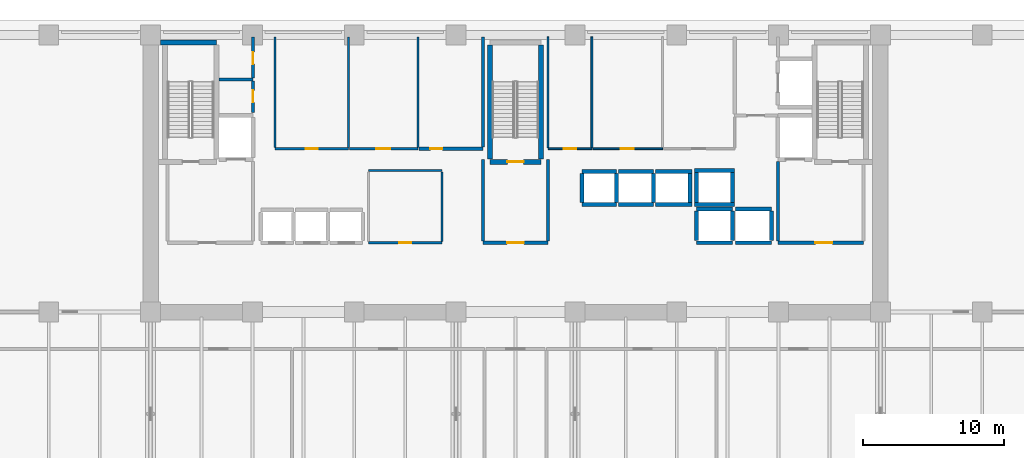
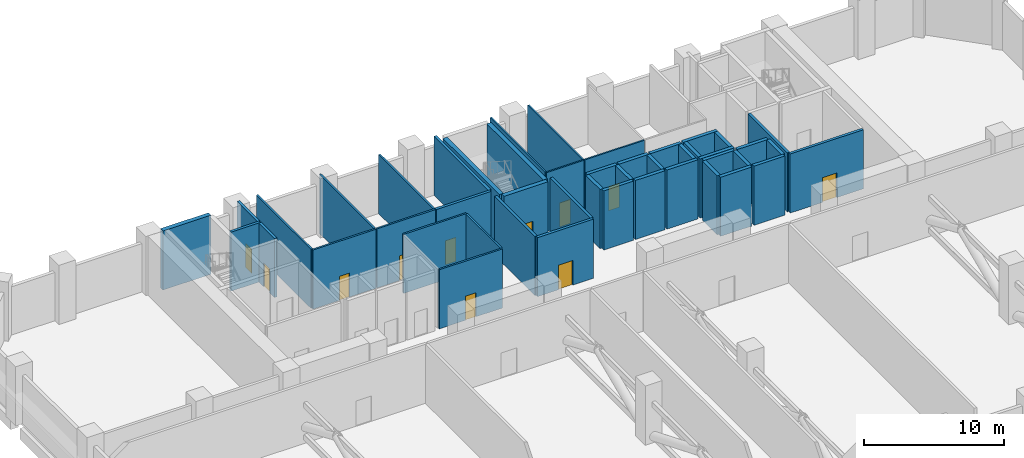
# One storey, part 9 of 15: 47 walls, 11 doors, 11 openings.
"""IFC4 building model written with IfcOpenShell, lengths in metres."""

from ifc_helpers import new_model, si_unit, direction, frame, frame_2d, origin, place, context, subcontext, project, spatial, rectangle, extrude, material, layer, layer_set, type_object, element, fill, save


model = new_model("IFC4")

# Units and contexts
model_context = context("Model", 3, precision=1e-05, world=origin(), true_north=direction((0.0, 1.0)))
body_context = subcontext(model_context, "Body", "Model", "MODEL_VIEW")
ifc_project = project(units=[si_unit("LENGTHUNIT", "METRE"), si_unit("AREAUNIT", "SQUARE_METRE"), si_unit("VOLUMEUNIT", "CUBIC_METRE"), si_unit("PLANEANGLEUNIT", "RADIAN"), si_unit("MASSUNIT", "GRAM", prefix="KILO")], contexts=[model_context])

# Site, building, storey
site_placement = place(None, origin())
site = spatial("IfcSite", under=ifc_project, at=site_placement, CompositionType="ELEMENT")
building_placement = place(site_placement, origin())
building = spatial("IfcBuilding", under=site, at=building_placement, Name="Kaelvorn Grand Hotel", CompositionType="ELEMENT")
storey_placement = place(building_placement, frame((0.0, 0.0, 80.14990234375)))
storey = spatial("IfcBuildingStorey", under=building, at=storey_placement, Name="L18", CompositionType="ELEMENT", Elevation=80.14990234375)

# Wall, opening, door
ifc_material_1 = material(Name="Moisture-Resistant Tile & Stud Board")
ifc_layer_1 = layer(ifc_material_1, 0.125)
ifc_layer_set_1 = layer_set([ifc_layer_1], Name="Moisture-Resistant Tile & Stud Board")
wall_type_1 = type_object("IfcWallType", Name="WL-PART-125-WET", PredefinedType="PARTITIONING", material=ifc_layer_set_1)
wall_1_placement = place(storey_placement, frame((44.300048828125, 40.949951171875, 0.0), z_axis=(0.0, 0.0, 1.0), x_axis=(1.0, 0.0, 0.0)))
wall_1 = element("IfcWall", 1, at=wall_1_placement, inside=storey, type_object=wall_type_1, Name="L18 Accessible WC S Partition", PredefinedType="PARTITIONING", context=body_context, shape_type="SweptSolid", body=[
    extrude(rectangle(XDim=3.099853515625, YDim=0.125, at=frame_2d((1.5498046875, 0.0))), origin(), (0.0, 0.0, 1.0), 5.16015625),
])
opening_1_placement = place(wall_1_placement, frame((1.10009765625, 0.0, 0.0)))
opening_1 = element("IfcOpeningElement", 2, at=opening_1_placement, cuts=wall_1, Name="Opening DI4", PredefinedType="OPENING", context=body_context, shape_type="SweptSolid", body=[
    extrude(rectangle(XDim=0.89990234375, YDim=2.10009765625, at=frame_2d((0.449951171875, 1.050048828125))), frame((0.0, 0.072509765625, 0.0), z_axis=(0.0, -1.0, 0.0), x_axis=(1.0, 0.0, 0.0)), (0.0, 0.0, 1.0), 0.14501953125),
])
ifc_material_2 = material(Name="Timber Veneer Leaf", Category="wood")
door_type_1 = type_object("IfcDoorType", Name="DR-INT-BATH-900x2100", OperationType="NOTDEFINED", PredefinedType="DOOR", material=ifc_material_2)
door_1_placement = place(opening_1_placement, origin())
door_1 = element("IfcDoor", 3, at=door_1_placement, inside=storey, type_object=door_type_1, Name="L18 Accessible WC Door", OperationType="SINGLE_SWING_RIGHT", OverallHeight=2.10009765625, OverallWidth=0.89990234375, PredefinedType="DOOR", context=body_context, shape_type="SweptSolid", body=[
    extrude(rectangle(XDim=0.89990234375, YDim=2.10009765625, at=frame_2d((0.449951171875, 1.050048828125))), frame((0.0, 0.02490234375, 0.0), z_axis=(0.0, -1.0, 0.0), x_axis=(1.0, 0.0, 0.0)), (0.0, 0.0, 1.0), 0.050048828125),
])
fill(opening_1, door_1)

# Walls
for number, where, z_axis, x_axis, name in (
    (4, (44.300048828125, 41.017578125, 0.0), (0.0, 0.0, 1.0), (0.0, 1.0, 0.0), "L18 Accessible WC W Partition"),
    (5, (47.39990234375, 41.017578125, 0.0), (0.0, 0.0, 1.0), (0.0, 1.0, 0.0), "L18 Accessible WC E Partition"),
):
    element("IfcWall", number, at=place(storey_placement, frame(where, z_axis=z_axis, x_axis=x_axis)), inside=storey, type_object=wall_type_1, Name=name, PredefinedType="PARTITIONING", context=body_context, shape_type="SweptSolid", body=[
        extrude(rectangle(XDim=7.83251953125, YDim=0.125, at=frame_2d((3.916259765625, 0.0))), origin(), (0.0, 0.0, 1.0), 5.16015625),
    ])

# Wall, opening, door
wall_2_placement = place(storey_placement, frame((47.467529296875, 40.949951171875, 0.0), z_axis=(0.0, 0.0, 1.0), x_axis=(1.0, 0.0, 0.0)))
wall_2 = element("IfcWall", 6, at=wall_2_placement, inside=storey, type_object=wall_type_1, Name="L18 Male Staff & Guest Toilets S Partition", PredefinedType="PARTITIONING", context=body_context, shape_type="SweptSolid", body=[
    extrude(rectangle(XDim=4.932373046875, YDim=0.125, at=frame_2d((2.46630859375, 0.0))), origin(), (0.0, 0.0, 1.0), 5.16015625),
])
opening_2_placement = place(wall_2_placement, frame((1.982421875, 0.0, 0.0)))
opening_2 = element("IfcOpeningElement", 7, at=opening_2_placement, cuts=wall_2, Name="Opening DI4", PredefinedType="OPENING", context=body_context, shape_type="SweptSolid", body=[
    extrude(rectangle(XDim=0.89990234375, YDim=2.10009765625, at=frame_2d((0.449951171875, 1.050048828125))), frame((0.0, 0.072509765625, 0.0), z_axis=(0.0, -1.0, 0.0), x_axis=(1.0, 0.0, 0.0)), (0.0, 0.0, 1.0), 0.14501953125),
])
door_2_placement = place(opening_2_placement, origin())
door_2 = element("IfcDoor", 8, at=door_2_placement, inside=storey, type_object=door_type_1, Name="L18 Male Staff & Guest Toilets Door", OperationType="SINGLE_SWING_LEFT", OverallHeight=2.10009765625, OverallWidth=0.89990234375, PredefinedType="DOOR", context=body_context, shape_type="SweptSolid", body=[
    extrude(rectangle(XDim=0.89990234375, YDim=2.10009765625, at=frame_2d((0.449951171875, 1.050048828125))), frame((0.0, 0.02490234375, 0.0), z_axis=(0.0, -1.0, 0.0), x_axis=(1.0, 0.0, 0.0)), (0.0, 0.0, 1.0), 0.050048828125),
])
fill(opening_2, door_2)

ifc_material_3 = material(Name="Acoustic Gypsum & Stud Partition")
ifc_layer_2 = layer(ifc_material_3, 0.14990234375)
ifc_layer_set_2 = layer_set([ifc_layer_2], Name="Acoustic Gypsum & Stud Partition")
wall_type_2 = type_object("IfcWallType", Name="WL-PART-150-EI60", PredefinedType="PARTITIONING", material=ifc_layer_set_2)
wall_3_placement = place(storey_placement, frame((31.60009765625, 34.300048828125, 0.0), z_axis=(0.0, 0.0, 1.0), x_axis=(1.0, 0.0, 0.0)))
wall_3 = element("IfcWall", 9, at=wall_3_placement, inside=storey, type_object=wall_type_2, Name="L18 Core Telecoms & BMS Server Room S Partition", PredefinedType="PARTITIONING", context=body_context, shape_type="SweptSolid", body=[
    extrude(rectangle(XDim=5.199951171875, YDim=0.14990234375, at=frame_2d((2.60009765625, 0.0))), origin(), (0.0, 0.0, 1.0), 5.16015625),
])
opening_3_placement = place(wall_3_placement, frame((2.175048828125, 0.0, 0.0)))
opening_3 = element("IfcOpeningElement", 10, at=opening_3_placement, cuts=wall_3, Name="Opening DI7", PredefinedType="OPENING", context=body_context, shape_type="SweptSolid", body=[
    extrude(rectangle(XDim=0.85009765625, YDim=2.10009765625, at=frame_2d((0.425048828125, 1.050048828125))), frame((0.0, 0.0849609375, 0.0), z_axis=(0.0, -1.0, 0.0), x_axis=(1.0, 0.0, 0.0)), (0.0, 0.0, 1.0), 0.169921875),
])
ifc_material_4 = material(Name="Powder-Coated Steel Leaf", Category="steel")
door_type_2 = type_object("IfcDoorType", Name="DR-INT-RISER-850x2100", OperationType="NOTDEFINED", PredefinedType="DOOR", material=ifc_material_4)
door_3_placement = place(opening_3_placement, origin())
door_3 = element("IfcDoor", 11, at=door_3_placement, inside=storey, type_object=door_type_2, Name="L18 Core Telecoms & BMS Server Room Door", OperationType="SINGLE_SWING_RIGHT", OverallHeight=2.10009765625, OverallWidth=0.85009765625, PredefinedType="DOOR", context=body_context, shape_type="SweptSolid", body=[
    extrude(rectangle(XDim=0.85009765625, YDim=2.10009765625, at=frame_2d((0.425048828125, 1.050048828125))), frame((0.0, 0.02490234375, 0.0), z_axis=(0.0, -1.0, 0.0), x_axis=(1.0, 0.0, 0.0)), (0.0, 0.0, 1.0), 0.050048828125),
])
fill(opening_3, door_3)

# Walls
wall_4_placement = place(storey_placement, frame((31.60009765625, 39.39990234375, 0.0), z_axis=(0.0, 0.0, 1.0), x_axis=(1.0, 0.0, 0.0)))
element("IfcWall", 12, at=wall_4_placement, inside=storey, type_object=wall_type_2, Name="L18 Core Telecoms & BMS Server Room N Partition", PredefinedType="PARTITIONING", context=body_context, shape_type="SweptSolid", body=[
    extrude(rectangle(XDim=5.199951171875, YDim=0.14990234375, at=frame_2d((2.60009765625, 0.0))), origin(), (0.0, 0.0, 1.0), 5.16015625),
])
wall_5_placement = place(storey_placement, frame((36.800048828125, 34.3798828125, 0.0), z_axis=(0.0, 0.0, 1.0), x_axis=(0.0, 1.0, 0.0)))
element("IfcWall", 13, at=wall_5_placement, inside=storey, type_object=wall_type_2, Name="L18 Core Telecoms & BMS Server Room E Partition", PredefinedType="PARTITIONING", context=body_context, shape_type="SweptSolid", body=[
    extrude(rectangle(XDim=4.940185546875, YDim=0.14990234375, at=frame_2d((2.47021484375, 0.0))), origin(), (0.0, 0.0, 1.0), 5.16015625),
])

# Wall, opening, door
wall_6_placement = place(storey_placement, frame((25.0, 40.949951171875, 0.0), z_axis=(0.0, 0.0, 1.0), x_axis=(1.0, 0.0, 0.0)))
wall_6 = element("IfcWall", 14, at=wall_6_placement, inside=storey, type_object=wall_type_2, Name="L18 Central Janitor & Linen Store S Partition", PredefinedType="PARTITIONING", context=body_context, shape_type="SweptSolid", body=[
    extrude(rectangle(XDim=5.199951171875, YDim=0.14990234375, at=frame_2d((2.60009765625, 0.0))), origin(), (0.0, 0.0, 1.0), 5.16015625),
])
opening_4_placement = place(wall_6_placement, frame((2.175048828125, 0.0, 0.0)))
opening_4 = element("IfcOpeningElement", 15, at=opening_4_placement, cuts=wall_6, Name="Opening DI7", PredefinedType="OPENING", context=body_context, shape_type="SweptSolid", body=[
    extrude(rectangle(XDim=0.85009765625, YDim=2.10009765625, at=frame_2d((0.425048828125, 1.050048828125))), frame((0.0, 0.0849609375, 0.0), z_axis=(0.0, -1.0, 0.0), x_axis=(1.0, 0.0, 0.0)), (0.0, 0.0, 1.0), 0.169921875),
])
door_4_placement = place(opening_4_placement, origin())
door_4 = element("IfcDoor", 16, at=door_4_placement, inside=storey, type_object=door_type_2, Name="L18 Central Janitor & Linen Store Door", OperationType="SINGLE_SWING_LEFT", OverallHeight=2.10009765625, OverallWidth=0.85009765625, PredefinedType="DOOR", context=body_context, shape_type="SweptSolid", body=[
    extrude(rectangle(XDim=0.85009765625, YDim=2.10009765625, at=frame_2d((0.425048828125, 1.050048828125))), frame((0.0, 0.02490234375, 0.0), z_axis=(0.0, -1.0, 0.0), x_axis=(1.0, 0.0, 0.0)), (0.0, 0.0, 1.0), 0.050048828125),
])
fill(opening_4, door_4)

# Walls
for number, where, z_axis, x_axis, name in (
    (17, (25.0, 41.030029296875, 0.0), (0.0, 0.0, 1.0), (0.0, 1.0, 0.0), "L18 Central Janitor & Linen Store W Partition"),
    (18, (30.199951171875, 41.030029296875, 0.0), (0.0, 0.0, 1.0), (0.0, 1.0, 0.0), "L18 Central Janitor & Linen Store E Partition"),
):
    element("IfcWall", number, at=place(storey_placement, frame(where, z_axis=z_axis, x_axis=x_axis)), inside=storey, type_object=wall_type_2, Name=name, PredefinedType="PARTITIONING", context=body_context, shape_type="SweptSolid", body=[
        extrude(rectangle(XDim=7.820068359375, YDim=0.14990234375, at=frame_2d((3.91015625, 0.0))), origin(), (0.0, 0.0, 1.0), 5.16015625),
    ])

# Wall, opening, door
wall_7_placement = place(storey_placement, frame((30.280029296875, 40.949951171875, 0.0), z_axis=(0.0, 0.0, 1.0), x_axis=(1.0, 0.0, 0.0)))
wall_7 = element("IfcWall", 19, at=wall_7_placement, inside=storey, type_object=wall_type_2, Name="L18 Room Service Servery Pantry S Partition", PredefinedType="PARTITIONING", context=body_context, shape_type="SweptSolid", body=[
    extrude(rectangle(XDim=4.820068359375, YDim=0.14990234375, at=frame_2d((2.41015625, 0.0))), origin(), (0.0, 0.0, 1.0), 5.16015625),
])
opening_5_placement = place(wall_7_placement, frame((1.8701171875, 0.0, 0.0)))
opening_5 = element("IfcOpeningElement", 20, at=opening_5_placement, cuts=wall_7, Name="Opening DI3", PredefinedType="OPENING", context=body_context, shape_type="SweptSolid", body=[
    extrude(rectangle(XDim=1.0, YDim=2.14990234375, at=frame_2d((0.5, 1.074951171875))), frame((0.0, 0.0849609375, 0.0), z_axis=(0.0, -1.0, 0.0), x_axis=(1.0, 0.0, 0.0)), (0.0, 0.0, 1.0), 0.169921875),
])
ifc_material_5 = material(Name="Timber Veneer Fire Leaf", Category="wood")
door_type_3 = type_object("IfcDoorType", Name="DR-INT-GUEST-1000x2150", OperationType="NOTDEFINED", PredefinedType="DOOR", material=ifc_material_5)
door_5_placement = place(opening_5_placement, origin())
door_5 = element("IfcDoor", 21, at=door_5_placement, inside=storey, type_object=door_type_3, Name="L18 Room Service Servery Pantry Door", OperationType="SINGLE_SWING_RIGHT", OverallHeight=2.14990234375, OverallWidth=1.0, PredefinedType="DOOR", context=body_context, shape_type="SweptSolid", body=[
    extrude(rectangle(XDim=1.0, YDim=2.14990234375, at=frame_2d((0.5, 1.074951171875))), frame((0.0, 0.02490234375, 0.0), z_axis=(0.0, -1.0, 0.0), x_axis=(1.0, 0.0, 0.0)), (0.0, 0.0, 1.0), 0.050048828125),
])
fill(opening_5, door_5)

# Wall
wall_8_placement = place(storey_placement, frame((35.10009765625, 41.030029296875, 0.0), z_axis=(0.0, 0.0, 1.0), x_axis=(0.0, 1.0, 0.0)))
element("IfcWall", 22, at=wall_8_placement, inside=storey, type_object=wall_type_2, Name="L18 Room Service Servery Pantry E Partition", PredefinedType="PARTITIONING", context=body_context, shape_type="SweptSolid", body=[
    extrude(rectangle(XDim=7.820068359375, YDim=0.14990234375, at=frame_2d((3.91015625, 0.0))), origin(), (0.0, 0.0, 1.0), 5.16015625),
])

# Wall, opening, door
ifc_material_6 = material(Name="Concrete C40/50", Category="concrete")
ifc_layer_3 = layer(ifc_material_6, 0.219970703125)
ifc_layer_set_3 = layer_set([ifc_layer_3], Name="Concrete C40/50")
wall_type_3 = type_object("IfcWallType", Name="WL-PART-220-EI120", PredefinedType="PARTITIONING", material=ifc_layer_set_3)
wall_9_placement = place(storey_placement, frame((60.550048828125, 34.300048828125, 0.0), z_axis=(0.0, 0.0, 1.0), x_axis=(1.0, 0.0, 0.0)))
wall_9 = element("IfcWall", 23, at=wall_9_placement, inside=storey, type_object=wall_type_3, Name="L18 Firefighting Lift Lobby 2 S Partition", PredefinedType="PARTITIONING", context=body_context, shape_type="SweptSolid", body=[
    extrude(rectangle(XDim=6.050048828125, YDim=0.219970703125, at=frame_2d((3.02490234375, 0.0))), origin(), (0.0, 0.0, 1.0), 5.16015625),
])
opening_6_placement = place(wall_9_placement, frame((2.64990234375, 0.0, 0.0)))
opening_6 = element("IfcOpeningElement", 24, at=opening_6_placement, cuts=wall_9, Name="Opening DI2", PredefinedType="OPENING", context=body_context, shape_type="SweptSolid", body=[
    extrude(rectangle(XDim=1.199951171875, YDim=2.14990234375, at=frame_2d((0.60009765625, 1.074951171875))), frame((0.0, 0.1201171875, 0.0), z_axis=(0.0, -1.0, 0.0), x_axis=(1.0, 0.0, 0.0)), (0.0, 0.0, 1.0), 0.239990234375),
])
door_type_4 = type_object("IfcDoorType", Name="DR-INT-FFLOB-1200x2150", OperationType="NOTDEFINED", PredefinedType="DOOR", material=ifc_material_5)
door_6_placement = place(opening_6_placement, origin())
door_6 = element("IfcDoor", 25, at=door_6_placement, inside=storey, type_object=door_type_4, Name="L18 Firefighting Lift Lobby 2 Door", OperationType="SINGLE_SWING_LEFT", OverallHeight=2.14990234375, OverallWidth=1.199951171875, PredefinedType="DOOR", context=body_context, shape_type="SweptSolid", body=[
    extrude(rectangle(XDim=1.199951171875, YDim=2.14990234375, at=frame_2d((0.60009765625, 1.074951171875))), frame((0.0, 0.02490234375, 0.0), z_axis=(0.0, -1.0, 0.0), x_axis=(1.0, 0.0, 0.0)), (0.0, 0.0, 1.0), 0.050048828125),
])
fill(opening_6, door_6)

# Wall
wall_10_placement = place(storey_placement, frame((60.550048828125, 34.4150390625, 0.0), z_axis=(0.0, 0.0, 1.0), x_axis=(0.0, 1.0, 0.0)))
element("IfcWall", 26, at=wall_10_placement, inside=storey, type_object=wall_type_3, Name="L18 Firefighting Lift Lobby 2 W Partition", PredefinedType="PARTITIONING", context=body_context, shape_type="SweptSolid", body=[
    extrude(rectangle(XDim=5.639892578125, YDim=0.219970703125, at=frame_2d((2.81982421875, 0.0))), origin(), (0.0, 0.0, 1.0), 5.16015625),
])

# Wall, opening, door
wall_11_placement = place(storey_placement, frame((39.699951171875, 34.300048828125, 0.0), z_axis=(0.0, 0.0, 1.0), x_axis=(1.0, 0.0, 0.0)))
wall_11 = element("IfcWall", 27, at=wall_11_placement, inside=storey, type_object=wall_type_3, Name="L18 Central Stair Escape Vestibule S Partition", PredefinedType="PARTITIONING", context=body_context, shape_type="SweptSolid", body=[
    extrude(rectangle(XDim=4.60009765625, YDim=0.219970703125, at=frame_2d((2.300048828125, 0.0))), origin(), (0.0, 0.0, 1.0), 5.16015625),
])
opening_7_placement = place(wall_11_placement, frame((1.699951171875, 0.0, 0.0)))
opening_7 = element("IfcOpeningElement", 28, at=opening_7_placement, cuts=wall_11, Name="Opening DI2", PredefinedType="OPENING", context=body_context, shape_type="SweptSolid", body=[
    extrude(rectangle(XDim=1.199951171875, YDim=2.14990234375, at=frame_2d((0.60009765625, 1.074951171875))), frame((0.0, 0.1201171875, 0.0), z_axis=(0.0, -1.0, 0.0), x_axis=(1.0, 0.0, 0.0)), (0.0, 0.0, 1.0), 0.239990234375),
])
door_7_placement = place(opening_7_placement, origin())
door_7 = element("IfcDoor", 29, at=door_7_placement, inside=storey, type_object=door_type_4, Name="L18 Central Stair Escape Vestibule Door", OperationType="SINGLE_SWING_RIGHT", OverallHeight=2.14990234375, OverallWidth=1.199951171875, PredefinedType="DOOR", context=body_context, shape_type="SweptSolid", body=[
    extrude(rectangle(XDim=1.199951171875, YDim=2.14990234375, at=frame_2d((0.60009765625, 1.074951171875))), frame((0.0, 0.02490234375, 0.0), z_axis=(0.0, -1.0, 0.0), x_axis=(1.0, 0.0, 0.0)), (0.0, 0.0, 1.0), 0.050048828125),
])
fill(opening_7, door_7)

# Walls
for number, where, z_axis, x_axis, name in (
    (30, (39.699951171875, 34.4150390625, 0.0), (0.0, 0.0, 1.0), (0.0, 1.0, 0.0), "L18 Central Stair Escape Vestibule W Partition"),
    (31, (44.300048828125, 34.4150390625, 0.0), (0.0, 0.0, 1.0), (0.0, 1.0, 0.0), "L18 Central Stair Escape Vestibule E Partition"),
):
    element("IfcWall", number, at=place(storey_placement, frame(where, z_axis=z_axis, x_axis=x_axis)), inside=storey, type_object=wall_type_3, Name=name, PredefinedType="PARTITIONING", context=body_context, shape_type="SweptSolid", body=[
        extrude(rectangle(XDim=5.784912109375, YDim=0.219970703125, at=frame_2d((2.892578125, 0.0))), origin(), (0.0, 0.0, 1.0), 5.16015625),
    ])
wall_12_placement = place(storey_placement, frame((21.034912109375, 45.85009765625, 0.0), z_axis=(0.0, 0.0, 1.0), x_axis=(1.0, 0.0, 0.0)))
element("IfcWall", 32, at=wall_12_placement, inside=storey, type_object=wall_type_3, Name="L18 Wet Fire & Plumbing Riser Shaft N Partition", PredefinedType="PARTITIONING", context=body_context, shape_type="SweptSolid", body=[
    extrude(rectangle(XDim=2.4150390625, YDim=0.219970703125, at=frame_2d((1.20751953125, 0.0))), origin(), (0.0, 0.0, 1.0), 5.16015625),
])

# Wall, opening, door
wall_13_placement = place(storey_placement, frame((23.449951171875, 43.5, 0.0), z_axis=(0.0, 0.0, 1.0), x_axis=(0.0, 1.0, 0.0)))
wall_13 = element("IfcWall", 33, at=wall_13_placement, inside=storey, type_object=wall_type_3, Name="L18 Wet Fire & Plumbing Riser Shaft E Partition", PredefinedType="PARTITIONING", context=body_context, shape_type="SweptSolid", body=[
    extrude(rectangle(XDim=2.235107421875, YDim=0.219970703125, at=frame_2d((1.11767578125, 0.0))), origin(), (0.0, 0.0, 1.0), 5.16015625),
])
opening_8_placement = place(wall_13_placement, frame((0.72509765625, 0.0, 0.0)))
opening_8 = element("IfcOpeningElement", 34, at=opening_8_placement, cuts=wall_13, Name="Opening DI7", PredefinedType="OPENING", context=body_context, shape_type="SweptSolid", body=[
    extrude(rectangle(XDim=0.85009765625, YDim=2.10009765625, at=frame_2d((0.425048828125, 1.050048828125))), frame((0.0, 0.1201171875, 0.0), z_axis=(0.0, -1.0, 0.0), x_axis=(1.0, 0.0, 0.0)), (0.0, 0.0, 1.0), 0.239990234375),
])
door_8_placement = place(opening_8_placement, origin())
door_8 = element("IfcDoor", 35, at=door_8_placement, inside=storey, type_object=door_type_2, Name="L18 Wet Fire & Plumbing Riser Shaft Door", OperationType="SINGLE_SWING_RIGHT", OverallHeight=2.10009765625, OverallWidth=0.85009765625, PredefinedType="DOOR", context=body_context, shape_type="SweptSolid", body=[
    extrude(rectangle(XDim=0.85009765625, YDim=2.10009765625, at=frame_2d((0.425048828125, 1.050048828125))), frame((0.0, 0.02490234375, 0.0), z_axis=(0.0, -1.0, 0.0), x_axis=(1.0, 0.0, 0.0)), (0.0, 0.0, 1.0), 0.050048828125),
])
fill(opening_8, door_8)

wall_14_placement = place(storey_placement, frame((23.449951171875, 45.965087890625, 0.0), z_axis=(0.0, 0.0, 1.0), x_axis=(0.0, 1.0, 0.0)))
wall_14 = element("IfcWall", 36, at=wall_14_placement, inside=storey, type_object=wall_type_3, Name="L18 HV Electrical & Smoke Riser E Partition", PredefinedType="PARTITIONING", context=body_context, shape_type="SweptSolid", body=[
    extrude(rectangle(XDim=2.885009765625, YDim=0.219970703125, at=frame_2d((1.4423828125, 0.0))), origin(), (0.0, 0.0, 1.0), 5.16015625),
])
opening_9_placement = place(wall_14_placement, frame((0.9599609375, 0.0, 0.0)))
opening_9 = element("IfcOpeningElement", 37, at=opening_9_placement, cuts=wall_14, Name="Opening DI7", PredefinedType="OPENING", context=body_context, shape_type="SweptSolid", body=[
    extrude(rectangle(XDim=0.85009765625, YDim=2.10009765625, at=frame_2d((0.425048828125, 1.050048828125))), frame((0.0, 0.1201171875, 0.0), z_axis=(0.0, -1.0, 0.0), x_axis=(1.0, 0.0, 0.0)), (0.0, 0.0, 1.0), 0.239990234375),
])
door_9_placement = place(opening_9_placement, origin())
door_9 = element("IfcDoor", 38, at=door_9_placement, inside=storey, type_object=door_type_2, Name="L18 HV Electrical & Smoke Riser Door", OperationType="SINGLE_SWING_LEFT", OverallHeight=2.10009765625, OverallWidth=0.85009765625, PredefinedType="DOOR", context=body_context, shape_type="SweptSolid", body=[
    extrude(rectangle(XDim=0.85009765625, YDim=2.10009765625, at=frame_2d((0.425048828125, 1.050048828125))), frame((0.0, 0.02490234375, 0.0), z_axis=(0.0, -1.0, 0.0), x_axis=(1.0, 0.0, 0.0)), (0.0, 0.0, 1.0), 0.050048828125),
])
fill(opening_9, door_9)

wall_15_placement = place(storey_placement, frame((35.179931640625, 40.949951171875, 0.0), z_axis=(0.0, 0.0, 1.0), x_axis=(1.0, 0.0, 0.0)))
wall_15 = element("IfcWall", 39, at=wall_15_placement, inside=storey, type_object=wall_type_3, Name="L18 Floor Electrical Switchroom S Partition", PredefinedType="PARTITIONING", context=body_context, shape_type="SweptSolid", body=[
    extrude(rectangle(XDim=4.52001953125, YDim=0.219970703125, at=frame_2d((2.260009765625, 0.0))), origin(), (0.0, 0.0, 1.0), 5.16015625),
])
opening_10_placement = place(wall_15_placement, frame((0.794921875, 0.0, 0.0)))
opening_10 = element("IfcOpeningElement", 40, at=opening_10_placement, cuts=wall_15, Name="Opening DI7", PredefinedType="OPENING", context=body_context, shape_type="SweptSolid", body=[
    extrude(rectangle(XDim=0.85009765625, YDim=2.10009765625, at=frame_2d((0.425048828125, 1.050048828125))), frame((0.0, 0.1201171875, 0.0), z_axis=(0.0, -1.0, 0.0), x_axis=(1.0, 0.0, 0.0)), (0.0, 0.0, 1.0), 0.239990234375),
])
door_10_placement = place(opening_10_placement, origin())
door_10 = element("IfcDoor", 41, at=door_10_placement, inside=storey, type_object=door_type_2, Name="L18 Floor Electrical Switchroom Door", OperationType="SINGLE_SWING_LEFT", OverallHeight=2.10009765625, OverallWidth=0.85009765625, PredefinedType="DOOR", context=body_context, shape_type="SweptSolid", body=[
    extrude(rectangle(XDim=0.85009765625, YDim=2.10009765625, at=frame_2d((0.425048828125, 1.050048828125))), frame((0.0, 0.02490234375, 0.0), z_axis=(0.0, -1.0, 0.0), x_axis=(1.0, 0.0, 0.0)), (0.0, 0.0, 1.0), 0.050048828125),
])
fill(opening_10, door_10)

# Walls
wall_16_placement = place(storey_placement, frame((39.699951171875, 41.06494140625, 0.0), z_axis=(0.0, 0.0, 1.0), x_axis=(0.0, 1.0, 0.0)))
element("IfcWall", 42, at=wall_16_placement, inside=storey, type_object=wall_type_3, Name="L18 Floor Electrical Switchroom E Partition", PredefinedType="PARTITIONING", context=body_context, shape_type="SweptSolid", body=[
    extrude(rectangle(XDim=7.78515625, YDim=0.219970703125, at=frame_2d((3.892578125, 0.0))), origin(), (0.0, 0.0, 1.0), 5.16015625),
])
ifc_material_7 = material(Name="Concrete C50/60", Category="concrete")
ifc_layer_4 = layer(ifc_material_7, 0.280029296875)
ifc_layer_set_4 = layer_set([ifc_layer_4], Name="Concrete C50/60")
wall_type_4 = type_object("IfcWallType", Name="WL-SHAFT-280-C50", PredefinedType="SHEAR", material=ifc_layer_set_4)
for number, where, z_axis, x_axis, name in (
    (43, (46.699951171875, 37.0, 0.0), (0.0, 0.0, 1.0), (1.0, 0.0, 0.0), "L18 Lift SL-1 Shaft South Wall"),
    (44, (46.699951171875, 39.35009765625, 0.0), (0.0, 0.0, 1.0), (1.0, 0.0, 0.0), "L18 Lift SL-1 Shaft North Wall"),
):
    element("IfcWall", number, at=place(storey_placement, frame(where, z_axis=z_axis, x_axis=x_axis)), inside=storey, type_object=wall_type_4, Name=name, PredefinedType="SHEAR", context=body_context, shape_type="SweptSolid", body=[
        extrude(rectangle(XDim=2.449951171875, YDim=0.280029296875, at=frame_2d((1.22509765625, 0.0))), origin(), (0.0, 0.0, 1.0), 5.16015625),
    ])
for number, where, z_axis, x_axis, name in (
    (45, (46.699951171875, 37.14501953125, 0.0), (0.0, 0.0, 1.0), (0.0, 1.0, 0.0), "L18 Lift SL-1 Shaft West Wall"),
    (46, (49.14990234375, 37.14501953125, 0.0), (0.0, 0.0, 1.0), (0.0, 1.0, 0.0), "L18 Lift SL-1 Shaft East Wall"),
):
    element("IfcWall", number, at=place(storey_placement, frame(where, z_axis=z_axis, x_axis=x_axis)), inside=storey, type_object=wall_type_4, Name=name, PredefinedType="SHEAR", context=body_context, shape_type="SweptSolid", body=[
        extrude(rectangle(XDim=2.06005859375, YDim=0.280029296875, at=frame_2d((1.030029296875, 0.0))), origin(), (0.0, 0.0, 1.0), 5.16015625),
    ])
for number, where, z_axis, x_axis, name in (
    (47, (49.300048828125, 37.0, 0.0), (0.0, 0.0, 1.0), (1.0, 0.0, 0.0), "L18 Lift SL-2 Shaft South Wall"),
    (48, (49.300048828125, 39.35009765625, 0.0), (0.0, 0.0, 1.0), (1.0, 0.0, 0.0), "L18 Lift SL-2 Shaft North Wall"),
):
    element("IfcWall", number, at=place(storey_placement, frame(where, z_axis=z_axis, x_axis=x_axis)), inside=storey, type_object=wall_type_4, Name=name, PredefinedType="SHEAR", context=body_context, shape_type="SweptSolid", body=[
        extrude(rectangle(XDim=2.449951171875, YDim=0.280029296875, at=frame_2d((1.22509765625, 0.0))), origin(), (0.0, 0.0, 1.0), 5.16015625),
    ])
wall_17_placement = place(storey_placement, frame((51.75, 37.14501953125, 0.0), z_axis=(0.0, 0.0, 1.0), x_axis=(0.0, 1.0, 0.0)))
element("IfcWall", 49, at=wall_17_placement, inside=storey, type_object=wall_type_4, Name="L18 Lift SL-2 Shaft East Wall", PredefinedType="SHEAR", context=body_context, shape_type="SweptSolid", body=[
    extrude(rectangle(XDim=2.06005859375, YDim=0.280029296875, at=frame_2d((1.030029296875, 0.0))), origin(), (0.0, 0.0, 1.0), 5.16015625),
])
for number, where, z_axis, x_axis, name in (
    (50, (51.89990234375, 37.0, 0.0), (0.0, 0.0, 1.0), (1.0, 0.0, 0.0), "L18 Lift SL-3 Shaft South Wall"),
    (51, (51.89990234375, 39.35009765625, 0.0), (0.0, 0.0, 1.0), (1.0, 0.0, 0.0), "L18 Lift SL-3 Shaft North Wall"),
):
    element("IfcWall", number, at=place(storey_placement, frame(where, z_axis=z_axis, x_axis=x_axis)), inside=storey, type_object=wall_type_4, Name=name, PredefinedType="SHEAR", context=body_context, shape_type="SweptSolid", body=[
        extrude(rectangle(XDim=2.590087890625, YDim=0.280029296875, at=frame_2d((1.294921875, 0.0))), origin(), (0.0, 0.0, 1.0), 5.16015625),
    ])
wall_18_placement = place(storey_placement, frame((54.35009765625, 37.14501953125, 0.0), z_axis=(0.0, 0.0, 1.0), x_axis=(0.0, 1.0, 0.0)))
element("IfcWall", 52, at=wall_18_placement, inside=storey, type_object=wall_type_4, Name="L18 Lift SL-3 Shaft East Wall", PredefinedType="SHEAR", context=body_context, shape_type="SweptSolid", body=[
    extrude(rectangle(XDim=2.06005859375, YDim=0.280029296875, at=frame_2d((1.030029296875, 0.0))), origin(), (0.0, 0.0, 1.0), 5.16015625),
])
for number, where, z_axis, x_axis, name in (
    (53, (54.800048828125, 34.300048828125, 0.0), (0.0, 0.0, 1.0), (1.0, 0.0, 0.0), "L18 Lift OL-1 Shaft South Wall"),
    (54, (54.800048828125, 36.699951171875, 0.0), (0.0, 0.0, 1.0), (1.0, 0.0, 0.0), "L18 Lift OL-1 Shaft North Wall"),
):
    element("IfcWall", number, at=place(storey_placement, frame(where, z_axis=z_axis, x_axis=x_axis)), inside=storey, type_object=wall_type_4, Name=name, PredefinedType="SHEAR", context=body_context, shape_type="SweptSolid", body=[
        extrude(rectangle(XDim=2.550048828125, YDim=0.280029296875, at=frame_2d((1.27490234375, 0.0))), origin(), (0.0, 0.0, 1.0), 5.16015625),
    ])
for number, where, z_axis, x_axis, name in (
    (55, (54.800048828125, 34.445068359375, 0.0), (0.0, 0.0, 1.0), (0.0, 1.0, 0.0), "L18 Lift OL-1 Shaft West Wall"),
    (56, (57.35009765625, 34.445068359375, 0.0), (0.0, 0.0, 1.0), (0.0, 1.0, 0.0), "L18 Lift OL-1 Shaft East Wall"),
):
    element("IfcWall", number, at=place(storey_placement, frame(where, z_axis=z_axis, x_axis=x_axis)), inside=storey, type_object=wall_type_4, Name=name, PredefinedType="SHEAR", context=body_context, shape_type="SweptSolid", body=[
        extrude(rectangle(XDim=2.10986328125, YDim=0.280029296875, at=frame_2d((1.054931640625, 0.0))), origin(), (0.0, 0.0, 1.0), 5.16015625),
    ])
for number, where, z_axis, x_axis, name in (
    (57, (57.550048828125, 34.300048828125, 0.0), (0.0, 0.0, 1.0), (1.0, 0.0, 0.0), "L18 Lift OL-2 Shaft South Wall"),
    (58, (57.550048828125, 36.699951171875, 0.0), (0.0, 0.0, 1.0), (1.0, 0.0, 0.0), "L18 Lift OL-2 Shaft North Wall"),
):
    element("IfcWall", number, at=place(storey_placement, frame(where, z_axis=z_axis, x_axis=x_axis)), inside=storey, type_object=wall_type_4, Name=name, PredefinedType="SHEAR", context=body_context, shape_type="SweptSolid", body=[
        extrude(rectangle(XDim=2.550048828125, YDim=0.280029296875, at=frame_2d((1.27490234375, 0.0))), origin(), (0.0, 0.0, 1.0), 5.16015625),
    ])
wall_19_placement = place(storey_placement, frame((60.10009765625, 34.445068359375, 0.0), z_axis=(0.0, 0.0, 1.0), x_axis=(0.0, 1.0, 0.0)))
element("IfcWall", 59, at=wall_19_placement, inside=storey, type_object=wall_type_4, Name="L18 Lift OL-2 Shaft East Wall", PredefinedType="SHEAR", context=body_context, shape_type="SweptSolid", body=[
    extrude(rectangle(XDim=2.10986328125, YDim=0.280029296875, at=frame_2d((1.054931640625, 0.0))), origin(), (0.0, 0.0, 1.0), 5.16015625),
])
for number, where, z_axis, x_axis, name in (
    (60, (54.659912109375, 37.0, 0.0), (0.0, 0.0, 1.0), (1.0, 0.0, 0.0), "L18 Lift OL-3 Shaft South Wall"),
    (61, (54.659912109375, 39.39990234375, 0.0), (0.0, 0.0, 1.0), (1.0, 0.0, 0.0), "L18 Lift OL-3 Shaft North Wall"),
):
    element("IfcWall", number, at=place(storey_placement, frame(where, z_axis=z_axis, x_axis=x_axis)), inside=storey, type_object=wall_type_4, Name=name, PredefinedType="SHEAR", context=body_context, shape_type="SweptSolid", body=[
        extrude(rectangle(XDim=2.830078125, YDim=0.280029296875, at=frame_2d((1.4150390625, 0.0))), origin(), (0.0, 0.0, 1.0), 5.16015625),
    ])
for number, where, z_axis, x_axis, name in (
    (62, (54.800048828125, 37.14501953125, 0.0), (0.0, 0.0, 1.0), (0.0, 1.0, 0.0), "L18 Lift OL-3 Shaft West Wall"),
    (63, (57.35009765625, 37.14501953125, 0.0), (0.0, 0.0, 1.0), (0.0, 1.0, 0.0), "L18 Lift OL-3 Shaft East Wall"),
):
    element("IfcWall", number, at=place(storey_placement, frame(where, z_axis=z_axis, x_axis=x_axis)), inside=storey, type_object=wall_type_4, Name=name, PredefinedType="SHEAR", context=body_context, shape_type="SweptSolid", body=[
        extrude(rectangle(XDim=2.10986328125, YDim=0.280029296875, at=frame_2d((1.054931640625, 0.0))), origin(), (0.0, 0.0, 1.0), 5.16015625),
    ])
ifc_material_8 = material(Name="Concrete C60/75", Category="concrete")
ifc_layer_5 = layer(ifc_material_8, 0.35009765625)
ifc_layer_set_5 = layer_set([ifc_layer_5], Name="Concrete C60/75")
wall_type_5 = type_object("IfcWallType", Name="WL-SHAFT-350-C60", PredefinedType="SHEAR", material=ifc_layer_set_5)
wall_20_placement = place(storey_placement, frame((16.905029296875, 48.47509765625, 0.0), z_axis=(0.0, 0.0, 1.0), x_axis=(1.0, 0.0, 0.0)))
element("IfcWall", 64, at=wall_20_placement, inside=storey, type_object=wall_type_5, Name="L18 ST1 Stair Shaft North Wall", PredefinedType="SHEAR", context=body_context, shape_type="SweptSolid", body=[
    extrude(rectangle(XDim=3.949951171875, YDim=0.35009765625, at=frame_2d((1.97509765625, 0.0))), origin(), (0.0, 0.0, 1.0), 5.16015625),
])

# Wall, opening, door
wall_21_placement = place(storey_placement, frame((40.18505859375, 40.02490234375, 0.0), z_axis=(0.0, 0.0, 1.0), x_axis=(1.0, 0.0, 0.0)))
wall_21 = element("IfcWall", 65, at=wall_21_placement, inside=storey, type_object=wall_type_5, Name="L18 ST2 Stair Shaft South Wall", PredefinedType="SHEAR", context=body_context, shape_type="SweptSolid", body=[
    extrude(rectangle(XDim=3.6298828125, YDim=0.35009765625, at=frame_2d((1.81494140625, 0.0))), origin(), (0.0, 0.0, 1.0), 5.16015625),
])
opening_11_placement = place(wall_21_placement, frame((1.239990234375, 0.0, 0.0)))
opening_11 = element("IfcOpeningElement", 66, at=opening_11_placement, cuts=wall_21, Name="Opening DI1", PredefinedType="OPENING", context=body_context, shape_type="SweptSolid", body=[
    extrude(rectangle(XDim=1.14990234375, YDim=2.14990234375, at=frame_2d((0.574951171875, 1.074951171875))), frame((0.0, 0.18505859375, 0.0), z_axis=(0.0, -1.0, 0.0), x_axis=(1.0, 0.0, 0.0)), (0.0, 0.0, 1.0), 0.3701171875),
])
door_type_5 = type_object("IfcDoorType", Name="DR-INT-STAIR-1150x2150", OperationType="NOTDEFINED", PredefinedType="DOOR", material=ifc_material_5)
door_11_placement = place(opening_11_placement, origin())
door_11 = element("IfcDoor", 67, at=door_11_placement, inside=storey, type_object=door_type_5, Name="L18 ST2 Exit Stair Fire Door", OperationType="SINGLE_SWING_RIGHT", OverallHeight=2.14990234375, OverallWidth=1.14990234375, PredefinedType="DOOR", context=body_context, shape_type="SweptSolid", body=[
    extrude(rectangle(XDim=1.14990234375, YDim=2.14990234375, at=frame_2d((0.574951171875, 1.074951171875))), frame((0.0, 0.02490234375, 0.0), z_axis=(0.0, -1.0, 0.0), x_axis=(1.0, 0.0, 0.0)), (0.0, 0.0, 1.0), 0.050048828125),
])
fill(opening_11, door_11)

# Walls
for number, where, z_axis, x_axis, name in (
    (68, (40.18505859375, 40.205078125, 0.0), (0.0, 0.0, 1.0), (0.0, 1.0, 0.0), "L18 ST2 Stair Shaft West Wall"),
    (69, (43.81494140625, 40.205078125, 0.0), (0.0, 0.0, 1.0), (0.0, 1.0, 0.0), "L18 ST2 Stair Shaft East Wall"),
):
    element("IfcWall", number, at=place(storey_placement, frame(where, z_axis=z_axis, x_axis=x_axis)), inside=storey, type_object=wall_type_5, Name=name, PredefinedType="SHEAR", context=body_context, shape_type="SweptSolid", body=[
        extrude(rectangle(XDim=8.08984375, YDim=0.35009765625, at=frame_2d((4.044921875, 0.0))), origin(), (0.0, 0.0, 1.0), 5.16015625),
    ])

save(model, "model.ifc")
